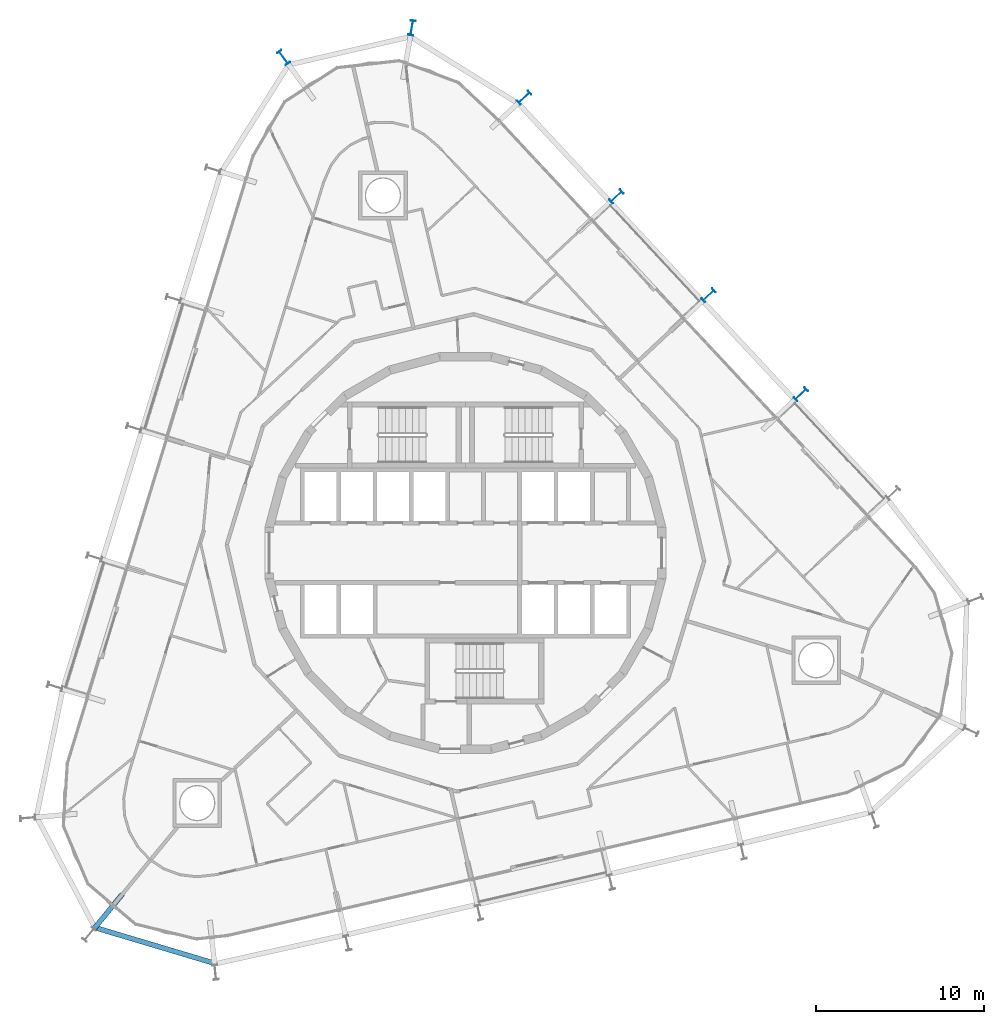
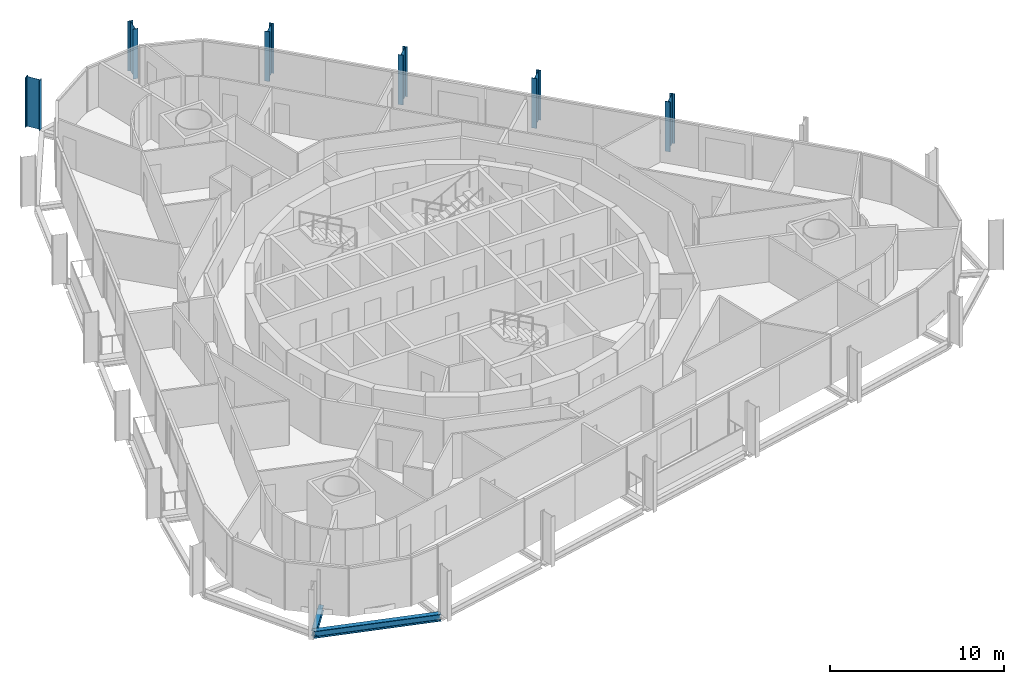
# One storey, part 2 of 18: 6 columns, 2 beams.
"""IFC4 building model written with IfcOpenShell, lengths in metres."""

from ifc_helpers import new_model, si_unit, direction, frame, origin, origin_2d, place, context, subcontext, project, spatial, i_section, extrude, material, material_profile, profile_set, type_object, element, save


model = new_model("IFC4")

# Units and contexts
model_context = context("Model", 3, precision=1e-05, world=origin(), true_north=direction((0.0, 1.0)))
body_context = subcontext(model_context, "Body", "Model", "MODEL_VIEW")
ifc_project = project(units=[si_unit("LENGTHUNIT", "METRE"), si_unit("AREAUNIT", "SQUARE_METRE"), si_unit("VOLUMEUNIT", "CUBIC_METRE"), si_unit("PLANEANGLEUNIT", "RADIAN"), si_unit("MASSUNIT", "GRAM", prefix="KILO")], contexts=[model_context])

# Site, building, storey
site_placement = place(None, origin())
site = spatial("IfcSite", under=ifc_project, at=site_placement, CompositionType="ELEMENT")
building_placement = place(site_placement, origin())
building = spatial("IfcBuilding", under=site, at=building_placement, Name="Spindle Arch Residences", CompositionType="ELEMENT")
storey_placement = place(building_placement, frame((0.0, 0.0, 137.89990234375)))
storey = spatial("IfcBuildingStorey", under=building, at=storey_placement, Name="L34", CompositionType="ELEMENT", Elevation=137.89990234375)

# Columns
ifc_material_1 = material(Name="Steel S460ML, intumescent coating R 240", Category="steel")
ifc_material_profile_1 = material_profile(ifc_material_1, i_section(OverallWidth=0.300048828125, OverallDepth=0.89990234375, WebThickness=0.0185546875, FlangeThickness=0.034912109375, FilletRadius=0.030029296875, at=origin_2d()), Name="HEB 900")
ifc_profile_set_1 = profile_set([ifc_material_profile_1], Name="Steel S460ML, intumescent coating R 240")
column_type = type_object("IfcColumnType", Name="Exoskeleton post HEB 900", PredefinedType="COLUMN", material=ifc_profile_set_1)
for number, where, z_axis, x_axis, name in (
    (1, (19.9150390625, 9.42236328125, -0.3798828125), (0.0, 0.0, 1.0), (0.68199801865, -0.731354019992, 0.0), "Exoskeleton post 7"),
    (2, (14.439208984375, 15.29443359375, -0.3798828125), (0.0, 0.0, 1.0), (0.68199801865, -0.731354019992, 0.0), "Exoskeleton post 8"),
    (3, (8.963134765625, 21.16650390625, -0.3798828125), (0.0, 0.0, 1.0), (0.68199801865, -0.731354019992, 0.0), "Exoskeleton post 9"),
    (4, (3.4873046875, 27.038818359375, -0.3798828125), (0.0, 0.0, 1.0), (0.68199801865, -0.731354019992, 0.0), "Exoskeleton post 10"),
    (5, (-3.185302734375, 31.177001953125, -0.3798828125), (0.0, 0.0, 1.0), (0.985484585876, -0.169764928655, 0.0), "Exoskeleton post 11"),
    (6, (-10.80419921875, 29.41796875, -0.3798828125), (0.0, 0.0, 1.0), (0.811328097008, 0.584591069898, 0.0), "Exoskeleton post 12"),
):
    element("IfcColumn", number, at=place(storey_placement, frame(where, z_axis=z_axis, x_axis=x_axis)), inside=storey, type_object=column_type, Name=name, PredefinedType="COLUMN", context=body_context, shape_type="SweptSolid", body=[
        extrude(i_section(OverallWidth=0.300048828125, OverallDepth=0.89990234375, WebThickness=0.0185546875, FlangeThickness=0.034912109375, FilletRadius=0.030029296875, at=origin_2d()), origin(), (0.0, 0.0, 1.0), 3.5),
    ])

# Beams
ifc_material_2 = material(Name="Steel S460ML, intumescent coating R 120", Category="steel")
ifc_material_profile_2 = material_profile(ifc_material_2, i_section(OverallWidth=0.300048828125, OverallDepth=0.5, WebThickness=0.014404296875, FlangeThickness=0.028076171875, FilletRadius=0.027099609375, at=origin_2d()), Name="HEB 500")
ifc_profile_set_2 = profile_set([ifc_material_profile_2], Name="Steel S460ML, intumescent coating R 120")
beam_type_1 = type_object("IfcBeamType", Name="Exoskeleton edge beam HEB 500", PredefinedType="BEAM", material=ifc_profile_set_2)
beam_1_placement = place(storey_placement, frame((-22.077392578125, -22.2265625, -0.6298828125), z_axis=(0.95815808572, -0.286239554865, 0.0), x_axis=(0.286239554865, 0.95815808572, 0.0)))
element("IfcBeam", 7, at=beam_1_placement, inside=storey, type_object=beam_type_1, Name="Exoskeleton edge beam 19", PredefinedType="BEAM", context=body_context, shape_type="SweptSolid", body=[
    extrude(i_section(OverallWidth=0.300048828125, OverallDepth=0.5, WebThickness=0.014404296875, FlangeThickness=0.028076171875, FilletRadius=0.027099609375, at=origin_2d()), origin(), (0.0, 0.0, 1.0), 7.5595703125),
])
ifc_material_3 = material(Name="Steel S460ML, intumescent coating R 120", Category="steel")
ifc_material_profile_3 = material_profile(ifc_material_3, i_section(OverallWidth=0.300048828125, OverallDepth=0.389892578125, WebThickness=0.010986328125, FlangeThickness=0.01904296875, FilletRadius=0.027099609375, at=origin_2d()), Name="HEA 400")
ifc_profile_set_3 = profile_set([ifc_material_profile_3], Name="Steel S460ML, intumescent coating R 120")
beam_type_2 = type_object("IfcBeamType", Name="Floor outrigger HEA 400", PredefinedType="BEAM", material=ifc_profile_set_3)
beam_2_placement = place(storey_placement, frame((-22.056396484375, -22.31103515625, -0.574951171875), z_axis=(0.634821942797, 0.772658463323, 0.0), x_axis=(-0.772658463323, 0.634821942797, 0.0)))
element("IfcBeam", 8, at=beam_2_placement, inside=storey, type_object=beam_type_2, Name="Floor outrigger 19", PredefinedType="BEAM", context=body_context, shape_type="SweptSolid", body=[
    extrude(i_section(OverallWidth=0.300048828125, OverallDepth=0.389892578125, WebThickness=0.010986328125, FlangeThickness=0.01904296875, FilletRadius=0.027099609375, at=origin_2d()), origin(), (0.0, 0.0, 1.0), 2.649658203125),
])

save(model, "model.ifc")
